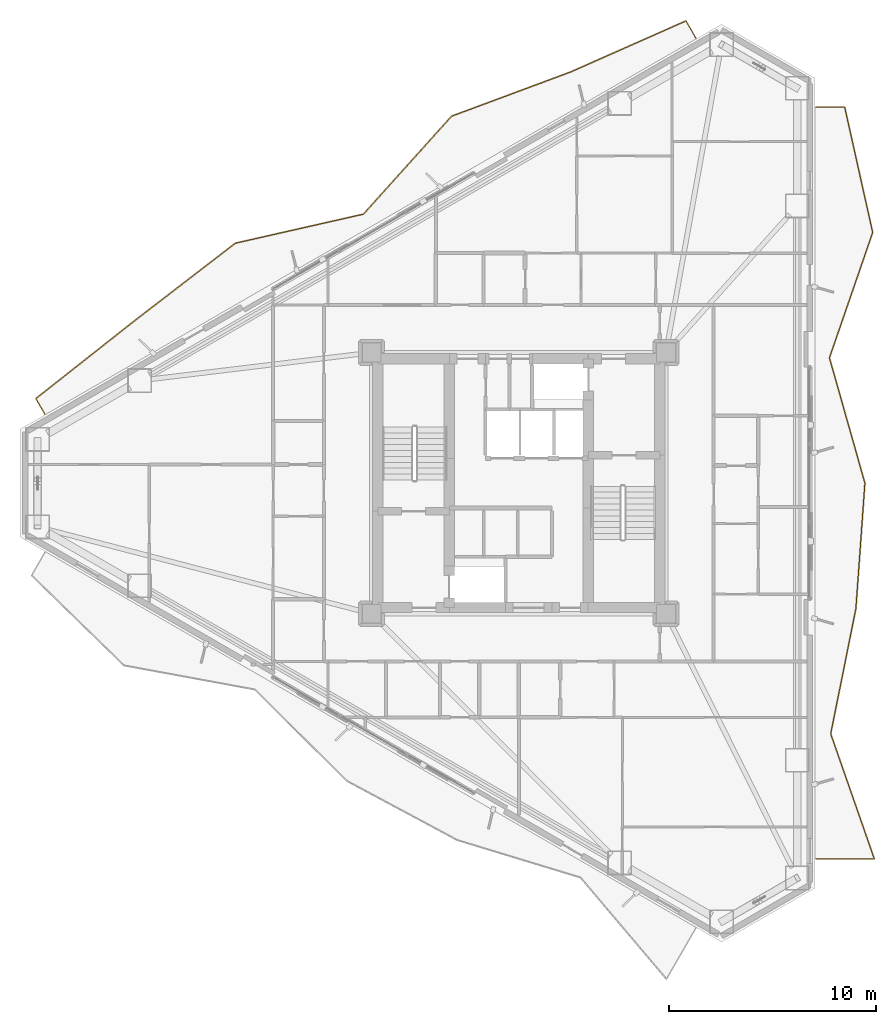
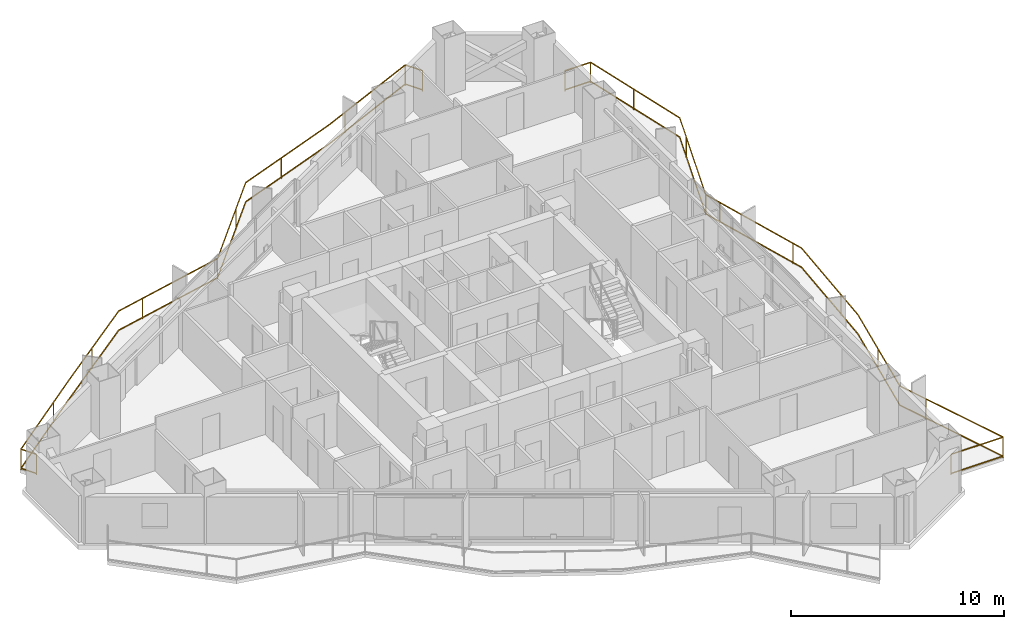
# One storey, part 23 of 23: 2 railings.
"""IFC4 building model written with IfcOpenShell, lengths in metres."""

from ifc_helpers import new_model, si_unit, direction, frame, origin, origin_2d, place, context, subcontext, project, spatial, rectangle, extrude, material, type_object, element, save


model = new_model("IFC4")

# Units and contexts
model_context = context("Model", 3, precision=1e-05, world=origin(), true_north=direction((0.0, 1.0)))
body_context = subcontext(model_context, "Body", "Model", "MODEL_VIEW")
ifc_project = project(units=[si_unit("LENGTHUNIT", "METRE"), si_unit("AREAUNIT", "SQUARE_METRE"), si_unit("VOLUMEUNIT", "CUBIC_METRE"), si_unit("PLANEANGLEUNIT", "RADIAN"), si_unit("MASSUNIT", "GRAM", prefix="KILO")], contexts=[model_context])

# Site, building, storey
site_placement = place(None, origin())
site = spatial("IfcSite", under=ifc_project, at=site_placement, CompositionType="ELEMENT")
building_placement = place(site_placement, origin())
building = spatial("IfcBuilding", under=site, at=building_placement, Name="Mersakhor Tower and Convention Hall", CompositionType="ELEMENT")
storey_placement = place(building_placement, frame((0.0, 0.0, 80.10009765625)))
storey = spatial("IfcBuildingStorey", under=building, at=storey_placement, Name="L21", CompositionType="ELEMENT", Elevation=80.10009765625)

# Railings
ifc_material = material(Name="Powder-coated galvanised steel and laminated glass balustrade", Category="steel")
railing_type = type_object("IfcRailingType", Name="RL-BAL-1200", PredefinedType="BALUSTRADE", material=ifc_material)
railing_1_placement = place(storey_placement, frame((37.541259765625, 48.2333984375, 0.0)))
element("IfcRailing", 1, at=railing_1_placement, inside=storey, type_object=railing_type, Name="L21 Sinusoidal Balcony Balustrade F1", PredefinedType="BALUSTRADE", context=body_context, shape_type="SweptSolid", body=[
    extrude(rectangle(XDim=0.048095703125, YDim=0.048095703125, at=origin_2d()), frame((0.0, 0.0, 1.17578125), z_axis=(-0.499871924981, 0.866099335305, 0.0), x_axis=(-0.866099335305, -0.499871924981, 0.0)), (0.0, 0.0, 1.0), 0.942626953125),
    extrude(rectangle(XDim=0.048095703125, YDim=0.048095703125, at=origin_2d()), frame((0.0, 0.0, 0.080078125), z_axis=(-0.499871924981, 0.866099335305, 0.0), x_axis=(-0.866099335305, -0.499871924981, 0.0)), (0.0, 0.0, 1.0), 0.942626953125),
    extrude(rectangle(XDim=0.048095703125, YDim=0.048095703125, at=origin_2d()), frame((-0.47119140625, 0.81640625, 1.17578125), z_axis=(-0.914358733126, -0.404905059435, 0.0), x_axis=(0.404905059435, -0.914358733126, 0.0)), (0.0, 0.0, 1.0), 6.080810546875),
    extrude(rectangle(XDim=0.048095703125, YDim=0.048095703125, at=origin_2d()), frame((-0.47119140625, 0.81640625, 0.080078125), z_axis=(-0.914358733126, -0.404905059435, 0.0), x_axis=(0.404905059435, -0.914358733126, 0.0)), (0.0, 0.0, 1.0), 6.080810546875),
    extrude(rectangle(XDim=0.048095703125, YDim=0.048095703125, at=origin_2d()), frame((-6.03125, -1.645751953125, 1.17578125), z_axis=(-0.937425643272, -0.348185530049, 0.0), x_axis=(0.348185530049, -0.937425643272, 0.0)), (0.0, 0.0, 1.0), 6.132568359375),
    extrude(rectangle(XDim=0.048095703125, YDim=0.048095703125, at=origin_2d()), frame((-6.03125, -1.645751953125, 0.080078125), z_axis=(-0.937425643272, -0.348185530049, 0.0), x_axis=(0.348185530049, -0.937425643272, 0.0)), (0.0, 0.0, 1.0), 6.132568359375),
    extrude(rectangle(XDim=0.048095703125, YDim=0.048095703125, at=origin_2d()), frame((-11.780029296875, -3.781005859375, 1.17578125), z_axis=(-0.669017769622, -0.743246408623, 0.0), x_axis=(0.743246408623, -0.669017769622, 0.0)), (0.0, 0.0, 1.0), 6.357666015625),
    extrude(rectangle(XDim=0.048095703125, YDim=0.048095703125, at=origin_2d()), frame((-11.780029296875, -3.781005859375, 0.080078125), z_axis=(-0.669017769622, -0.743246408623, 0.0), x_axis=(0.743246408623, -0.669017769622, 0.0)), (0.0, 0.0, 1.0), 6.357666015625),
    extrude(rectangle(XDim=0.048095703125, YDim=0.048095703125, at=origin_2d()), frame((-16.033447265625, -8.50634765625, 1.17578125), z_axis=(-0.975231263286, -0.221187664911, 0.0), x_axis=(0.221187664911, -0.975231263286, 0.0)), (0.0, 0.0, 1.0), 6.330078125),
    extrude(rectangle(XDim=0.048095703125, YDim=0.048095703125, at=origin_2d()), frame((-16.033447265625, -8.50634765625, 0.080078125), z_axis=(-0.975231263286, -0.221187664911, 0.0), x_axis=(0.221187664911, -0.975231263286, 0.0)), (0.0, 0.0, 1.0), 6.330078125),
    extrude(rectangle(XDim=0.048095703125, YDim=0.048095703125, at=origin_2d()), frame((-22.206787109375, -9.906494140625, 1.17578125), z_axis=(-0.792751941784, -0.60954438624, 0.0), x_axis=(0.60954438624, -0.792751941784, 0.0)), (0.0, 0.0, 1.0), 6.099365234375),
    extrude(rectangle(XDim=0.048095703125, YDim=0.048095703125, at=origin_2d()), frame((-22.206787109375, -9.906494140625, 0.080078125), z_axis=(-0.792751941784, -0.60954438624, 0.0), x_axis=(0.60954438624, -0.792751941784, 0.0)), (0.0, 0.0, 1.0), 6.099365234375),
    extrude(rectangle(XDim=0.048095703125, YDim=0.048095703125, at=origin_2d()), frame((-27.0419921875, -13.624267578125, 1.17578125), z_axis=(-0.785235537002, -0.619197182995, 0.0), x_axis=(0.619197182995, -0.785235537002, 0.0)), (0.0, 0.0, 1.0), 6.109375),
    extrude(rectangle(XDim=0.048095703125, YDim=0.048095703125, at=origin_2d()), frame((-27.0419921875, -13.624267578125, 0.080078125), z_axis=(-0.785235537002, -0.619197182995, 0.0), x_axis=(0.619197182995, -0.785235537002, 0.0)), (0.0, 0.0, 1.0), 6.109375),
    extrude(rectangle(XDim=0.048095703125, YDim=0.048095703125, at=origin_2d()), frame((-31.83935546875, -17.4072265625, 1.17578125), z_axis=(0.499839240638, -0.866118198353, 0.0), x_axis=(0.866118198353, 0.499839240638, 0.0)), (0.0, 0.0, 1.0), 0.844482421875),
    extrude(rectangle(XDim=0.048095703125, YDim=0.048095703125, at=origin_2d()), frame((-31.83935546875, -17.4072265625, 0.080078125), z_axis=(0.499839240638, -0.866118198353, 0.0), x_axis=(0.866118198353, 0.499839240638, 0.0)), (0.0, 0.0, 1.0), 0.844482421875),
    extrude(rectangle(XDim=0.0419921875, YDim=0.0419921875, at=origin_2d()), origin(), (0.0, 0.0, 1.0), 1.15185546875),
    extrude(rectangle(XDim=0.0419921875, YDim=0.0419921875, at=origin_2d()), frame((-0.47119140625, 0.81640625, 0.0)), (0.0, 0.0, 1.0), 1.15185546875),
    extrude(rectangle(XDim=0.0419921875, YDim=0.0419921875, at=origin_2d()), frame((-4.860107421875, -1.127197265625, 0.0)), (0.0, 0.0, 1.0), 1.15185546875),
    extrude(rectangle(XDim=0.0419921875, YDim=0.0419921875, at=origin_2d()), frame((-9.330322265625, -2.87109375, 0.0)), (0.0, 0.0, 1.0), 1.15185546875),
    extrude(rectangle(XDim=0.0419921875, YDim=0.0419921875, at=origin_2d()), frame((-13.242919921875, -5.40625, 0.0)), (0.0, 0.0, 1.0), 1.15185546875),
    extrude(rectangle(XDim=0.0419921875, YDim=0.0419921875, at=origin_2d()), frame((-16.033447265625, -8.50634765625, 0.0)), (0.0, 0.0, 1.0), 1.15185546875),
    extrude(rectangle(XDim=0.0419921875, YDim=0.0419921875, at=origin_2d()), frame((-20.714599609375, -9.568115234375, 0.0)), (0.0, 0.0, 1.0), 1.15185546875),
    extrude(rectangle(XDim=0.0419921875, YDim=0.0419921875, at=origin_2d()), frame((-24.799072265625, -11.899658203125, 0.0)), (0.0, 0.0, 1.0), 1.15185546875),
    extrude(rectangle(XDim=0.0419921875, YDim=0.0419921875, at=origin_2d()), frame((-28.58935546875, -14.844482421875, 0.0)), (0.0, 0.0, 1.0), 1.15185546875),
    extrude(rectangle(XDim=0.0419921875, YDim=0.0419921875, at=origin_2d()), frame((-31.83935546875, -17.4072265625, 0.0)), (0.0, 0.0, 1.0), 1.15185546875),
    extrude(rectangle(XDim=0.0419921875, YDim=0.0419921875, at=origin_2d()), frame((-31.417236328125, -18.138671875, 0.0)), (0.0, 0.0, 1.0), 1.15185546875),
])
railing_2_placement = place(storey_placement, frame((43.334716796875, 8.611328125, 0.0)))
element("IfcRailing", 2, at=railing_2_placement, inside=storey, type_object=railing_type, Name="L21 Sinusoidal Balcony Balustrade F2", PredefinedType="BALUSTRADE", context=body_context, shape_type="SweptSolid", body=[
    extrude(rectangle(XDim=0.048095703125, YDim=0.048095703125, at=origin_2d()), frame((0.0, 0.0, 1.17578125), z_axis=(1.0, 0.0, 0.0), x_axis=(0.0, 1.0, 0.0)), (0.0, 0.0, 1.0), 2.81982421875),
    extrude(rectangle(XDim=0.048095703125, YDim=0.048095703125, at=origin_2d()), frame((0.0, 0.0, 0.080078125), z_axis=(1.0, 0.0, 0.0), x_axis=(0.0, 1.0, 0.0)), (0.0, 0.0, 1.0), 2.81982421875),
    extrude(rectangle(XDim=0.048095703125, YDim=0.048095703125, at=origin_2d()), frame((2.81982421875, 0.0, 1.17578125), z_axis=(-0.329305754386, 0.944223342292, 0.0), x_axis=(-0.944223342292, -0.329305754386, 0.0)), (0.0, 0.0, 1.0), 6.4033203125),
    extrude(rectangle(XDim=0.048095703125, YDim=0.048095703125, at=origin_2d()), frame((2.81982421875, 0.0, 0.080078125), z_axis=(-0.329305754386, 0.944223342292, 0.0), x_axis=(-0.944223342292, -0.329305754386, 0.0)), (0.0, 0.0, 1.0), 6.4033203125),
    extrude(rectangle(XDim=0.048095703125, YDim=0.048095703125, at=origin_2d()), frame((0.711181640625, 6.046142578125, 1.17578125), z_axis=(0.197212211154, 0.980360823254, 0.0), x_axis=(-0.980360823254, 0.197212211154, 0.0)), (0.0, 0.0, 1.0), 6.16748046875),
    extrude(rectangle(XDim=0.048095703125, YDim=0.048095703125, at=origin_2d()), frame((0.711181640625, 6.046142578125, 0.080078125), z_axis=(0.197212211154, 0.980360823254, 0.0), x_axis=(-0.980360823254, 0.197212211154, 0.0)), (0.0, 0.0, 1.0), 6.16748046875),
    extrude(rectangle(XDim=0.048095703125, YDim=0.048095703125, at=origin_2d()), frame((1.927490234375, 12.092529296875, 1.17578125), z_axis=(0.071530411171, 0.997438419291, 0.0), x_axis=(-0.997438419291, 0.071530411171, 0.0)), (0.0, 0.0, 1.0), 6.061767578125),
    extrude(rectangle(XDim=0.048095703125, YDim=0.048095703125, at=origin_2d()), frame((1.927490234375, 12.092529296875, 0.080078125), z_axis=(0.071530411171, 0.997438419291, 0.0), x_axis=(-0.997438419291, 0.071530411171, 0.0)), (0.0, 0.0, 1.0), 6.061767578125),
    extrude(rectangle(XDim=0.048095703125, YDim=0.048095703125, at=origin_2d()), frame((2.361083984375, 18.138671875, 1.17578125), z_axis=(-0.272323823237, 0.962205661643, 0.0), x_axis=(-0.962205661643, -0.272323823237, 0.0)), (0.0, 0.0, 1.0), 6.28369140625),
    extrude(rectangle(XDim=0.048095703125, YDim=0.048095703125, at=origin_2d()), frame((2.361083984375, 18.138671875, 0.080078125), z_axis=(-0.272323823237, 0.962205661643, 0.0), x_axis=(-0.962205661643, -0.272323823237, 0.0)), (0.0, 0.0, 1.0), 6.28369140625),
    extrude(rectangle(XDim=0.048095703125, YDim=0.048095703125, at=origin_2d()), frame((0.64990234375, 24.184814453125, 1.17578125), z_axis=(0.326229461684, 0.945290610516, 0.0), x_axis=(-0.945290610516, 0.326229461684, 0.0)), (0.0, 0.0, 1.0), 6.396240234375),
    extrude(rectangle(XDim=0.048095703125, YDim=0.048095703125, at=origin_2d()), frame((0.64990234375, 24.184814453125, 0.080078125), z_axis=(0.326229461684, 0.945290610516, 0.0), x_axis=(-0.945290610516, 0.326229461684, 0.0)), (0.0, 0.0, 1.0), 6.396240234375),
    extrude(rectangle(XDim=0.048095703125, YDim=0.048095703125, at=origin_2d()), frame((2.736572265625, 30.231201171875, 1.17578125), z_axis=(-0.217894258235, 0.975972382923, 0.0), x_axis=(-0.975972382923, -0.217894258235, 0.0)), (0.0, 0.0, 1.0), 6.195068359375),
    extrude(rectangle(XDim=0.048095703125, YDim=0.048095703125, at=origin_2d()), frame((2.736572265625, 30.231201171875, 0.080078125), z_axis=(-0.217894258235, 0.975972382923, 0.0), x_axis=(-0.975972382923, -0.217894258235, 0.0)), (0.0, 0.0, 1.0), 6.195068359375),
    extrude(rectangle(XDim=0.048095703125, YDim=0.048095703125, at=origin_2d()), frame((1.38671875, 36.27734375, 1.17578125), z_axis=(-1.0, 0.0, 0.0), x_axis=(0.0, -1.0, 0.0)), (0.0, 0.0, 1.0), 1.38671875),
    extrude(rectangle(XDim=0.048095703125, YDim=0.048095703125, at=origin_2d()), frame((1.38671875, 36.27734375, 0.080078125), z_axis=(-1.0, 0.0, 0.0), x_axis=(0.0, -1.0, 0.0)), (0.0, 0.0, 1.0), 1.38671875),
    extrude(rectangle(XDim=0.0419921875, YDim=0.0419921875, at=origin_2d()), origin(), (0.0, 0.0, 1.0), 1.15185546875),
    extrude(rectangle(XDim=0.0419921875, YDim=0.0419921875, at=origin_2d()), frame((2.81982421875, 0.0, 0.0)), (0.0, 0.0, 1.0), 1.15185546875),
    extrude(rectangle(XDim=0.0419921875, YDim=0.0419921875, at=origin_2d()), frame((1.2392578125, 4.5322265625, 0.0)), (0.0, 0.0, 1.0), 1.15185546875),
    extrude(rectangle(XDim=0.0419921875, YDim=0.0419921875, at=origin_2d()), frame((1.341552734375, 9.18017578125, 0.0)), (0.0, 0.0, 1.0), 1.15185546875),
    extrude(rectangle(XDim=0.0419921875, YDim=0.0419921875, at=origin_2d()), frame((2.058349609375, 13.9169921875, 0.0)), (0.0, 0.0, 1.0), 1.15185546875),
    extrude(rectangle(XDim=0.0419921875, YDim=0.0419921875, at=origin_2d()), frame((2.20654296875, 18.684814453125, 0.0)), (0.0, 0.0, 1.0), 1.15185546875),
    extrude(rectangle(XDim=0.0419921875, YDim=0.0419921875, at=origin_2d()), frame((0.8994140625, 23.30322265625, 0.0)), (0.0, 0.0, 1.0), 1.15185546875),
    extrude(rectangle(XDim=0.0419921875, YDim=0.0419921875, at=origin_2d()), frame((0.64990234375, 24.184814453125, 0.0)), (0.0, 0.0, 1.0), 1.15185546875),
    extrude(rectangle(XDim=0.0419921875, YDim=0.0419921875, at=origin_2d()), frame((2.2158203125, 28.72216796875, 0.0)), (0.0, 0.0, 1.0), 1.15185546875),
    extrude(rectangle(XDim=0.0419921875, YDim=0.0419921875, at=origin_2d()), frame((2.03857421875, 33.35791015625, 0.0)), (0.0, 0.0, 1.0), 1.15185546875),
    extrude(rectangle(XDim=0.0419921875, YDim=0.0419921875, at=origin_2d()), frame((1.38671875, 36.27734375, 0.0)), (0.0, 0.0, 1.0), 1.15185546875),
    extrude(rectangle(XDim=0.0419921875, YDim=0.0419921875, at=origin_2d()), frame((0.0, 36.27734375, 0.0)), (0.0, 0.0, 1.0), 1.15185546875),
])

save(model, "model.ifc")
